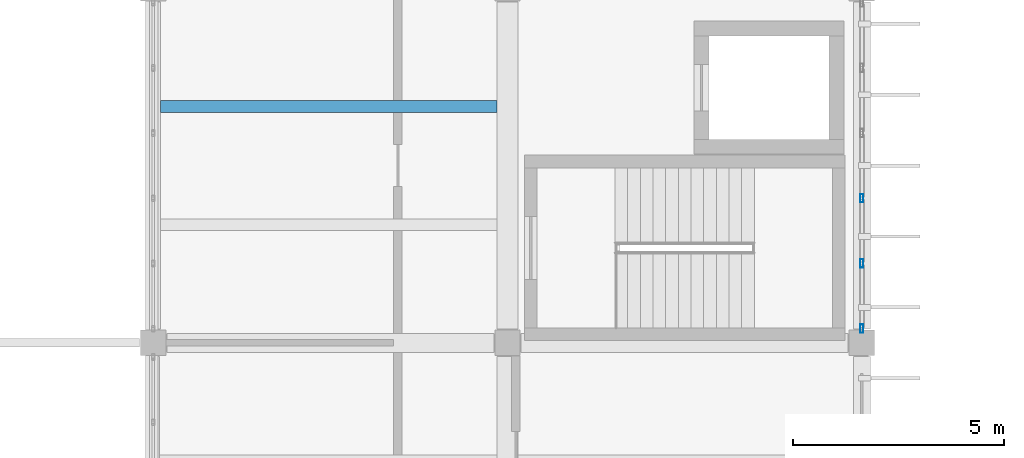
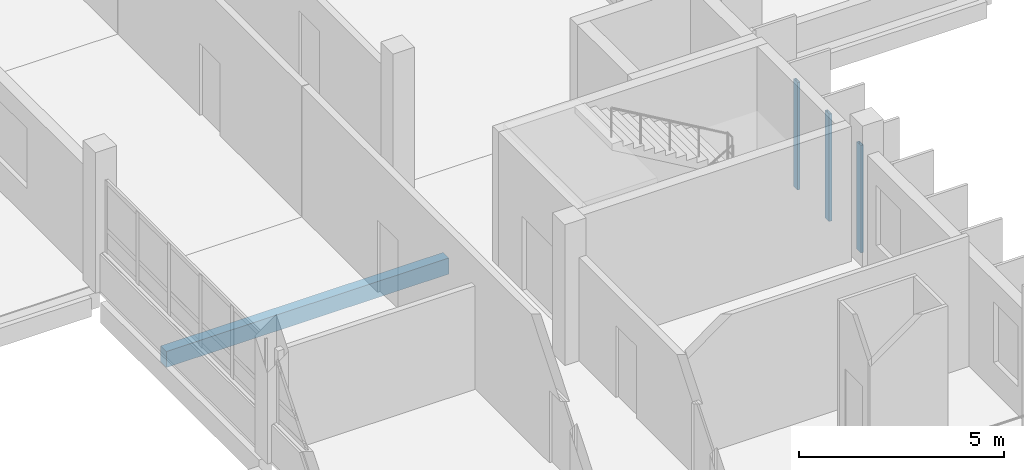
# One storey, part 72 of 130: 3 members, 1 beam, 1 element without a shape of its own.
"""IFC4 building model written with IfcOpenShell, lengths in metres."""

from ifc_helpers import new_model, si_unit, direction, frame, origin, origin_2d, place, context, subcontext, project, spatial, rectangle, hollow_rectangle, extrude, material, layer, layer_set, material_profile, profile_set, type_object, element, aggregate, save


model = new_model("IFC4")

# Units and contexts
model_context = context("Model", 3, precision=1e-05, world=origin(), true_north=direction((0.0, 1.0)))
body_context = subcontext(model_context, "Body", "Model", "MODEL_VIEW")
ifc_project = project(units=[si_unit("LENGTHUNIT", "METRE"), si_unit("AREAUNIT", "SQUARE_METRE"), si_unit("VOLUMEUNIT", "CUBIC_METRE"), si_unit("PLANEANGLEUNIT", "RADIAN"), si_unit("MASSUNIT", "GRAM", prefix="KILO")], contexts=[model_context])

# Site, building, storey
site_placement = place(None, origin())
site = spatial("IfcSite", under=ifc_project, at=site_placement, CompositionType="ELEMENT")
building_placement = place(site_placement, origin())
building = spatial("IfcBuilding", under=site, at=building_placement, Name="Vireocrest Preparatory School", CompositionType="ELEMENT")
storey_placement = place(building_placement, frame((0.0, 0.0, 9.0)))
storey = spatial("IfcBuildingStorey", under=building, at=storey_placement, Name="L02", CompositionType="ELEMENT", Elevation=9.0)

# Curtain wall, members
ifc_material_1 = material(Name="Thermally broken aluminium EN AW-6063-T6", Category="aluminium")
ifc_layer = layer(ifc_material_1, 0.179931640625)
ifc_layer_set = layer_set([ifc_layer], Name="Thermally broken aluminium EN AW-6063-T6")
curtain_wall_type = type_object("IfcCurtainWallType", Name="Teaching Fin Curtain Wall 8400x4200", PredefinedType="USERDEFINED", material=ifc_layer_set)
curtain_wall_placement = place(storey_placement, origin())
curtain_wall = element("IfcCurtainWall", 1, at=curtain_wall_placement, inside=storey, type_object=curtain_wall_type, Name="Curtain Wall CW03 CW_L02_CW03_1092_0777_090", ObjectType="CURTAIN WALL", PredefinedType="USERDEFINED")
ifc_material_profile_1 = material_profile(ifc_material_1, hollow_rectangle(XDim=0.074951171875, YDim=0.199951171875, WallThickness=0.0048828125, at=origin_2d()), Name="ALU 75x200x5")
ifc_profile_set_1 = profile_set([ifc_material_profile_1], Name="Thermally broken aluminium EN AW-6063-T6")
member_type = type_object("IfcMemberType", Name="CW Mullion 75x200x5", PredefinedType="MULLION", material=ifc_profile_set_1)
member_1_placement = place(storey_placement, frame((109.199951171875, 77.735107421875, 0.0), z_axis=(0.0, 0.0, 1.0), x_axis=(1.0, 0.0, 0.0)))
member_1 = element("IfcMember", 2, at=member_1_placement, type_object=member_type, Name="CW Mullion ML3 CW_L02_CW03_1092_0777_090-1", PredefinedType="MULLION", context=body_context, shape_type="SweptSolid", body=[
    extrude(hollow_rectangle(XDim=0.074951171875, YDim=0.199951171875, WallThickness=0.0048828125, at=origin_2d()), origin(), (0.0, 0.0, 1.0), 3.205078125),
])
member_2_placement = place(storey_placement, frame((109.199951171875, 79.281005859375, 0.0), z_axis=(0.0, 0.0, 1.0), x_axis=(1.0, 0.0, 0.0)))
member_2 = element("IfcMember", 3, at=member_2_placement, type_object=member_type, Name="CW Mullion ML3 CW_L02_CW03_1092_0777_090-2", PredefinedType="MULLION", context=body_context, shape_type="SweptSolid", body=[
    extrude(hollow_rectangle(XDim=0.074951171875, YDim=0.199951171875, WallThickness=0.0048828125, at=origin_2d()), origin(), (0.0, 0.0, 1.0), 3.205078125),
])
member_3_placement = place(storey_placement, frame((109.199951171875, 80.826904296875, 0.0), z_axis=(0.0, 0.0, 1.0), x_axis=(1.0, 0.0, 0.0)))
member_3 = element("IfcMember", 4, at=member_3_placement, type_object=member_type, Name="CW Mullion ML3 CW_L02_CW03_1092_0777_090-3", PredefinedType="MULLION", context=body_context, shape_type="SweptSolid", body=[
    extrude(hollow_rectangle(XDim=0.074951171875, YDim=0.199951171875, WallThickness=0.0048828125, at=origin_2d()), origin(), (0.0, 0.0, 1.0), 3.205078125),
])
aggregate(curtain_wall, [member_1, member_2, member_3])

# Beam
ifc_material_2 = material(Name="Concrete 40 MPa", Category="concrete")
ifc_material_profile_2 = material_profile(ifc_material_2, rectangle(XDim=0.280029296875, YDim=0.47998046875, at=origin_2d()), Name="RC 280x480")
ifc_profile_set_2 = profile_set([ifc_material_profile_2], Name="Concrete 40 MPa")
beam_type = type_object("IfcBeamType", Name="RC Secondary Lab Joist 280x480", PredefinedType="JOIST", material=ifc_profile_set_2)
beam_placement = place(storey_placement, frame((92.574951171875, 83.0, -0.5400390625), z_axis=(1.0, 0.0, 0.0), x_axis=(0.0, 1.0, 0.0)))
element("IfcBeam", 5, at=beam_placement, inside=storey, type_object=beam_type, Name="Secondary Joist J02 L02-0981", PredefinedType="JOIST", context=body_context, shape_type="SweptSolid", body=[
    extrude(rectangle(XDim=0.280029296875, YDim=0.47998046875, at=origin_2d()), origin(), (0.0, 0.0, 1.0), 7.97509765625),
])

save(model, "model.ifc")
